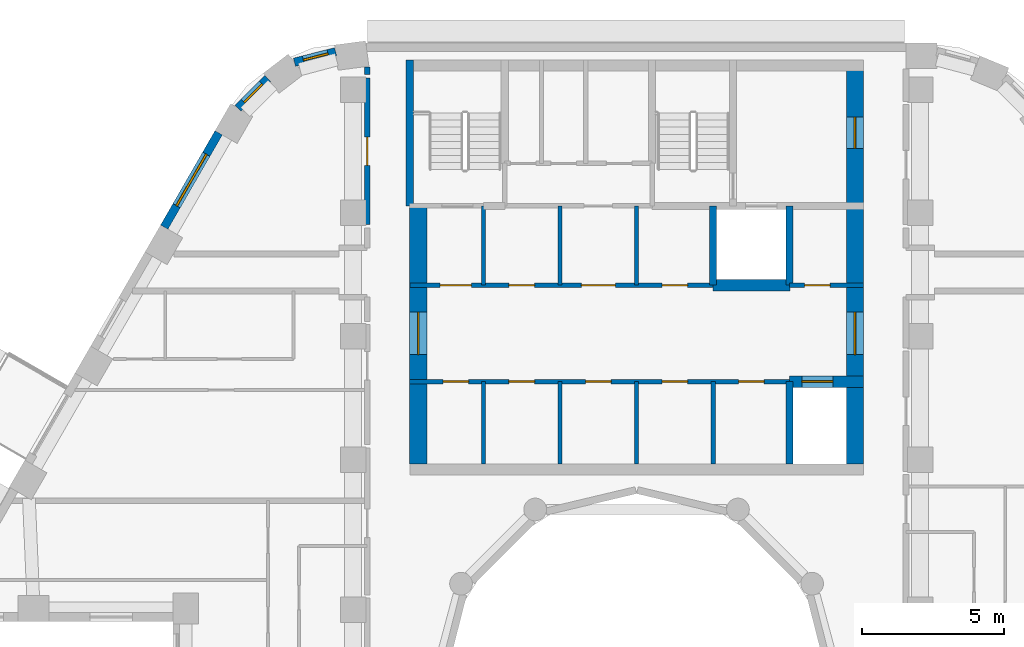
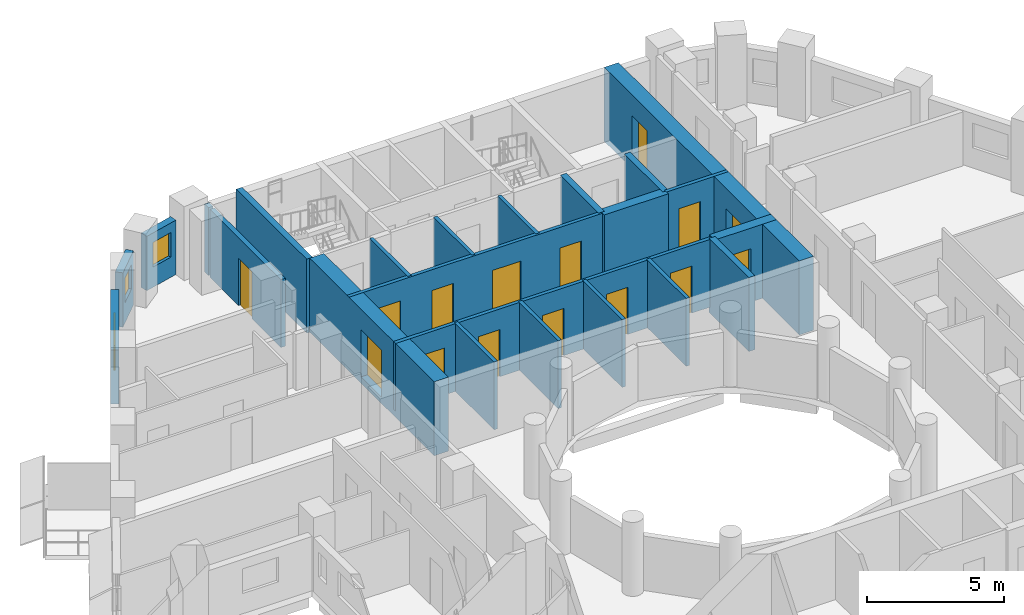
# One storey, part 7 of 13: 23 walls, 15 doors, 3 windows, 18 openings.
"""IFC4 building model written with IfcOpenShell, lengths in metres."""

from ifc_helpers import new_model, si_unit, direction, frame, frame_2d, origin, place, context, subcontext, project, spatial, rectangle, extrude, material, layer, layer_set, type_object, element, fill, save


model = new_model("IFC4")

# Units and contexts
model_context = context("Model", 3, precision=1e-05, world=origin(), true_north=direction((0.0, 1.0)))
body_context = subcontext(model_context, "Body", "Model", "MODEL_VIEW")
ifc_project = project(units=[si_unit("LENGTHUNIT", "METRE"), si_unit("AREAUNIT", "SQUARE_METRE"), si_unit("VOLUMEUNIT", "CUBIC_METRE"), si_unit("PLANEANGLEUNIT", "RADIAN"), si_unit("MASSUNIT", "GRAM", prefix="KILO")], contexts=[model_context])

# Site, building, storey
site_placement = place(None, origin())
site = spatial("IfcSite", under=ifc_project, at=site_placement, CompositionType="ELEMENT")
building_placement = place(site_placement, origin())
building = spatial("IfcBuilding", under=site, at=building_placement, Name="Nakaniwa Court", CompositionType="ELEMENT")
storey_placement = place(building_placement, frame((0.0, 0.0, 242.699951171875)))
storey = spatial("IfcBuildingStorey", under=building, at=storey_placement, Name="L63", CompositionType="ELEMENT", Elevation=242.699951171875)

# Wall, opening, door
ifc_material_1 = material(Name="Acoustic double stud partition")
ifc_layer_1 = layer(ifc_material_1, 0.199951171875)
ifc_layer_set_1 = layer_set([ifc_layer_1], Name="Acoustic double stud partition")
wall_type_1 = type_object("IfcWallType", Name="Acoustic double stud partition 200", PredefinedType="PARTITIONING", material=ifc_layer_set_1)
wall_1_placement = place(storey_placement, frame((70.5, 96.237060546875, 0.0), z_axis=(0.0, 0.0, 1.0), x_axis=(0.0, 1.0, 0.0)))
wall_1 = element("IfcWall", 1, at=wall_1_placement, inside=storey, type_object=wall_type_1, Name="Partition PW-099", PredefinedType="PARTITIONING", context=body_context, shape_type="SweptSolid", body=[
    extrude(rectangle(XDim=5.176025390625, YDim=0.199951171875, at=frame_2d((2.587890625, 0.0))), origin(), (0.0, 0.0, 1.0), 3.025146484375),
])
opening_1_placement = place(wall_1_placement, frame((2.087890625, 0.0, 0.0)))
opening_1 = element("IfcOpeningElement", 2, at=opening_1_placement, cuts=wall_1, Name="Opening D-02-06", PredefinedType="OPENING", context=body_context, shape_type="SweptSolid", body=[
    extrude(rectangle(XDim=1.0, YDim=2.10009765625, at=frame_2d((0.5, 1.050048828125))), frame((0.0, 0.10986328125, 0.0), z_axis=(0.0, -1.0, 0.0), x_axis=(1.0, 0.0, 0.0)), (0.0, 0.0, 1.0), 0.219970703125),
])
ifc_material_2 = material(Name="Solid core timber door set, black veneer", Category="wood")
door_type_1 = type_object("IfcDoorType", Name="Internal door 1000", OperationType="NOTDEFINED", PredefinedType="DOOR", material=ifc_material_2)
door_1_placement = place(opening_1_placement, origin())
door_1 = element("IfcDoor", 3, at=door_1_placement, inside=storey, type_object=door_type_1, Name="Door D-02-06 L63-062", OperationType="SINGLE_SWING_LEFT", OverallHeight=2.10009765625, OverallWidth=1.0, PredefinedType="DOOR", context=body_context, shape_type="SweptSolid", body=[
    extrude(rectangle(XDim=1.0, YDim=2.10009765625, at=frame_2d((0.5, 1.050048828125))), frame((0.0, 0.02490234375, 0.0), z_axis=(0.0, -1.0, 0.0), x_axis=(1.0, 0.0, 0.0)), (0.0, 0.0, 1.0), 0.050048828125),
])
fill(opening_1, door_1)

# Wall
wall_2_placement = place(storey_placement, frame((70.5, 101.527099609375, 0.0), z_axis=(0.0, 0.0, 1.0), x_axis=(0.0, 1.0, 0.0)))
element("IfcWall", 4, at=wall_2_placement, inside=storey, type_object=wall_type_1, Name="Partition PW-100", PredefinedType="PARTITIONING", context=body_context, shape_type="SweptSolid", body=[
    extrude(rectangle(XDim=0.273681640625, YDim=0.199951171875, at=frame_2d((0.13671875, 0.0))), origin(), (0.0, 0.0, 1.0), 3.025146484375),
])

# Wall, opening, window
ifc_material_3 = material(Name="Charcoal ceramic cladding")
ifc_layer_2 = layer(ifc_material_3, 0.02, Name="Ceramic cladding")
ifc_material_4 = material(Name="Ventilated air cavity")
ifc_layer_3 = layer(ifc_material_4, 0.04, ventilated=True, Name="Ventilated cavity")
ifc_material_5 = material(Name="Mineral wool insulation")
ifc_layer_4 = layer(ifc_material_5, 0.1, Name="Insulation")
ifc_material_6 = material(Name="Cement bonded sheathing board")
ifc_layer_5 = layer(ifc_material_6, 0.012, Name="Sheathing")
ifc_material_7 = material(Name="Cold-formed galvanised stud frame with mineral wool infill")
ifc_layer_6 = layer(ifc_material_7, 0.1, Name="Stud frame")
ifc_material_8 = material(Name="Fire-rated gypsum plasterboard lining")
ifc_layer_7 = layer(ifc_material_8, 0.028, Name="Lining")
ifc_layer_set_2 = layer_set([ifc_layer_2, ifc_layer_3, ifc_layer_4, ifc_layer_5, ifc_layer_6, ifc_layer_7], Name="Charcoal ceramic faced external wall system")
wall_type_2 = type_object("IfcWallType", Name="Black ceramic faced external wall 300", PredefinedType="SOLIDWALL", material=ifc_layer_set_2)
wall_3_placement = place(storey_placement, frame((69.386474609375, 102.333251953125, 0.0), z_axis=(0.0, 0.0, 1.0), x_axis=(-0.968895303033, -0.247470991757, 0.0)))
wall_3 = element("IfcWall", 5, at=wall_3_placement, inside=storey, type_object=wall_type_2, Name="L63 external wall 09", PredefinedType="SOLIDWALL", context=body_context, shape_type="SweptSolid", body=[
    extrude(rectangle(XDim=1.50048828125, YDim=0.300048828125, at=frame_2d((0.750244140625, 0.0))), origin(), (0.0, 0.0, 1.0), 2.425048828125),
])
opening_2_placement = place(wall_3_placement, frame((0.27587890625, 0.0, 0.89990234375)))
opening_2 = element("IfcOpeningElement", 6, at=opening_2_placement, cuts=wall_3, Name="Opening W9.09", PredefinedType="OPENING", context=body_context, shape_type="SweptSolid", body=[
    extrude(rectangle(XDim=0.89990234375, YDim=1.10009765625, at=frame_2d((0.449951171875, 0.550048828125))), frame((0.0, 0.159912109375, 0.0), z_axis=(0.0, -1.0, 0.0), x_axis=(1.0, 0.0, 0.0)), (0.0, 0.0, 1.0), 0.320068359375),
])
ifc_material_9 = material(Name="Black anodised aluminium frame with dark low-E laminated double glazing", Category="aluminium")
window_type_1 = type_object("IfcWindowType", Name="Dark glass window 900x1100 sill 900", PartitioningType="SINGLE_PANEL", PredefinedType="WINDOW", material=ifc_material_9)
window_1_placement = place(opening_2_placement, origin())
window_1 = element("IfcWindow", 7, at=window_1_placement, inside=storey, type_object=window_type_1, Name="L63 habitable room window 09-0", OverallHeight=1.10009765625, OverallWidth=0.89990234375, PartitioningType="SINGLE_PANEL", PredefinedType="WINDOW", context=body_context, shape_type="SweptSolid", body=[
    extrude(rectangle(XDim=0.89990234375, YDim=1.10009765625, at=frame_2d((0.449951171875, 0.550048828125))), frame((0.0, 0.030029296875, 0.0), z_axis=(0.0, -1.0, 0.0), x_axis=(1.0, 0.0, 0.0)), (0.0, 0.0, 1.0), 0.06005859375),
])
fill(opening_2, window_1)

wall_4_placement = place(storey_placement, frame((66.99560546875, 101.388427734375, 0.0), z_axis=(0.0, 0.0, 1.0), x_axis=(-0.708589353117, -0.705621094249, 0.0)))
wall_4 = element("IfcWall", 8, at=wall_4_placement, inside=storey, type_object=wall_type_2, Name="L63 external wall 10", PredefinedType="SOLIDWALL", context=body_context, shape_type="SweptSolid", body=[
    extrude(rectangle(XDim=1.48046875, YDim=0.300048828125, at=frame_2d((0.740234375, 0.0))), origin(), (0.0, 0.0, 1.0), 2.425048828125),
])
opening_3_placement = place(wall_4_placement, frame((0.27978515625, 0.0, 0.89990234375)))
opening_3 = element("IfcOpeningElement", 9, at=opening_3_placement, cuts=wall_4, Name="Opening W9.10", PredefinedType="OPENING", context=body_context, shape_type="SweptSolid", body=[
    extrude(rectangle(XDim=0.89990234375, YDim=1.10009765625, at=frame_2d((0.449951171875, 0.550048828125))), frame((0.0, 0.159912109375, 0.0), z_axis=(0.0, -1.0, 0.0), x_axis=(1.0, 0.0, 0.0)), (0.0, 0.0, 1.0), 0.320068359375),
])
window_2_placement = place(opening_3_placement, origin())
window_2 = element("IfcWindow", 10, at=window_2_placement, inside=storey, type_object=window_type_1, Name="L63 habitable room window 10-0", OverallHeight=1.10009765625, OverallWidth=0.89990234375, PartitioningType="SINGLE_PANEL", PredefinedType="WINDOW", context=body_context, shape_type="SweptSolid", body=[
    extrude(rectangle(XDim=0.89990234375, YDim=1.10009765625, at=frame_2d((0.449951171875, 0.550048828125))), frame((0.0, 0.030029296875, 0.0), z_axis=(0.0, -1.0, 0.0), x_axis=(1.0, 0.0, 0.0)), (0.0, 0.0, 1.0), 0.06005859375),
])
fill(opening_3, window_2)

wall_5_placement = place(storey_placement, frame((65.26416015625, 99.476806640625, 0.0), z_axis=(0.0, 0.0, 1.0), x_axis=(-0.499984490703, -0.866034357896, 0.0)))
wall_5 = element("IfcWall", 11, at=wall_5_placement, inside=storey, type_object=wall_type_2, Name="L63 external wall 11", PredefinedType="SOLIDWALL", context=body_context, shape_type="SweptSolid", body=[
    extrude(rectangle(XDim=3.84423828125, YDim=0.300048828125, at=frame_2d((1.922119140625, 0.0))), origin(), (0.0, 0.0, 1.0), 2.425048828125),
])
opening_4_placement = place(wall_5_placement, frame((0.8720703125, 0.0, 0.89990234375)))
opening_4 = element("IfcOpeningElement", 12, at=opening_4_placement, cuts=wall_5, Name="Opening W7.11", PredefinedType="OPENING", context=body_context, shape_type="SweptSolid", body=[
    extrude(rectangle(XDim=2.10009765625, YDim=1.10009765625, at=frame_2d((1.050048828125, 0.550048828125))), frame((0.0, 0.159912109375, 0.0), z_axis=(0.0, -1.0, 0.0), x_axis=(1.0, 0.0, 0.0)), (0.0, 0.0, 1.0), 0.320068359375),
])
window_type_2 = type_object("IfcWindowType", Name="Dark glass window 2100x1100 sill 900", PartitioningType="SINGLE_PANEL", PredefinedType="WINDOW", material=ifc_material_9)
window_3_placement = place(opening_4_placement, origin())
window_3 = element("IfcWindow", 13, at=window_3_placement, inside=storey, type_object=window_type_2, Name="L63 habitable room window 11-0", OverallHeight=1.10009765625, OverallWidth=2.10009765625, PartitioningType="SINGLE_PANEL", PredefinedType="WINDOW", context=body_context, shape_type="SweptSolid", body=[
    extrude(rectangle(XDim=2.10009765625, YDim=1.10009765625, at=frame_2d((1.050048828125, 0.550048828125))), frame((0.0, 0.030029296875, 0.0), z_axis=(0.0, -1.0, 0.0), x_axis=(1.0, 0.0, 0.0)), (0.0, 0.0, 1.0), 0.06005859375),
])
fill(opening_4, window_3)

# Walls
ifc_material_10 = material(Name="Blockwork partition", Category="masonry")
ifc_layer_8 = layer(ifc_material_10, 0.14990234375)
ifc_layer_set_3 = layer_set([ifc_layer_8], Name="Blockwork partition")
wall_type_3 = type_object("IfcWallType", Name="Blockwork partition 150", PredefinedType="PARTITIONING", material=ifc_layer_set_3)
wall_6_placement = place(storey_placement, frame((74.60009765625, 87.800048828125, 0.0), z_axis=(0.0, 0.0, 1.0), x_axis=(0.0, 1.0, 0.0)))
element("IfcWall", 14, at=wall_6_placement, inside=storey, type_object=wall_type_3, Name="Partition PW-001", PredefinedType="PARTITIONING", context=body_context, shape_type="SweptSolid", body=[
    extrude(rectangle(XDim=2.89990234375, YDim=0.14990234375, at=frame_2d((1.449951171875, 0.0))), origin(), (0.0, 0.0, 1.0), 3.025146484375),
])
wall_7_placement = place(storey_placement, frame((74.60009765625, 94.10009765625, 0.0), z_axis=(0.0, 0.0, 1.0), x_axis=(0.0, 1.0, 0.0)))
element("IfcWall", 15, at=wall_7_placement, inside=storey, type_object=wall_type_3, Name="Partition PW-002", PredefinedType="PARTITIONING", context=body_context, shape_type="SweptSolid", body=[
    extrude(rectangle(XDim=2.7998046875, YDim=0.14990234375, at=frame_2d((1.39990234375, 0.0))), origin(), (0.0, 0.0, 1.0), 3.025146484375),
])

# Wall, openings, doors
wall_8_placement = place(storey_placement, frame((85.39990234375, 90.699951171875, 0.0), z_axis=(0.0, 0.0, 1.0), x_axis=(-1.0, 0.0, 0.0)))
wall_8 = element("IfcWall", 16, at=wall_8_placement, inside=storey, type_object=wall_type_3, Name="Partition PW-003", PredefinedType="PARTITIONING", context=body_context, shape_type="SweptSolid", body=[
    extrude(rectangle(XDim=13.39990234375, YDim=0.14990234375, at=frame_2d((6.699951171875, 0.0))), origin(), (0.0, 0.0, 1.0), 3.025146484375),
])
opening_5_placement = place(wall_8_placement, frame((11.324951171875, 0.0, 0.0)))
opening_5 = element("IfcOpeningElement", 17, at=opening_5_placement, cuts=wall_8, Name="Opening D-05-01", PredefinedType="OPENING", context=body_context, shape_type="SweptSolid", body=[
    extrude(rectangle(XDim=0.89990234375, YDim=2.10009765625, at=frame_2d((0.449951171875, 1.050048828125))), frame((0.0, 0.0849609375, 0.0), z_axis=(0.0, -1.0, 0.0), x_axis=(1.0, 0.0, 0.0)), (0.0, 0.0, 1.0), 0.169921875),
])
opening_6_placement = place(wall_8_placement, frame((9.0, 0.0, 0.0)))
opening_6 = element("IfcOpeningElement", 18, at=opening_6_placement, cuts=wall_8, Name="Opening D-05-02", PredefinedType="OPENING", context=body_context, shape_type="SweptSolid", body=[
    extrude(rectangle(XDim=0.89990234375, YDim=2.10009765625, at=frame_2d((0.449951171875, 1.050048828125))), frame((0.0, 0.0849609375, 0.0), z_axis=(0.0, -1.0, 0.0), x_axis=(1.0, 0.0, 0.0)), (0.0, 0.0, 1.0), 0.169921875),
])
opening_7_placement = place(wall_8_placement, frame((6.300048828125, 0.0, 0.0)))
opening_7 = element("IfcOpeningElement", 19, at=opening_7_placement, cuts=wall_8, Name="Opening D-05-03", PredefinedType="OPENING", context=body_context, shape_type="SweptSolid", body=[
    extrude(rectangle(XDim=0.89990234375, YDim=2.10009765625, at=frame_2d((0.449951171875, 1.050048828125))), frame((0.0, 0.0849609375, 0.0), z_axis=(0.0, -1.0, 0.0), x_axis=(1.0, 0.0, 0.0)), (0.0, 0.0, 1.0), 0.169921875),
])
opening_8_placement = place(wall_8_placement, frame((3.60009765625, 0.0, 0.0)))
opening_8 = element("IfcOpeningElement", 20, at=opening_8_placement, cuts=wall_8, Name="Opening D-05-04", PredefinedType="OPENING", context=body_context, shape_type="SweptSolid", body=[
    extrude(rectangle(XDim=0.89990234375, YDim=2.10009765625, at=frame_2d((0.449951171875, 1.050048828125))), frame((0.0, 0.0849609375, 0.0), z_axis=(0.0, -1.0, 0.0), x_axis=(1.0, 0.0, 0.0)), (0.0, 0.0, 1.0), 0.169921875),
])
opening_9_placement = place(wall_8_placement, frame((0.89990234375, 0.0, 0.0)))
opening_9 = element("IfcOpeningElement", 21, at=opening_9_placement, cuts=wall_8, Name="Opening D-05-05", PredefinedType="OPENING", context=body_context, shape_type="SweptSolid", body=[
    extrude(rectangle(XDim=0.89990234375, YDim=2.10009765625, at=frame_2d((0.449951171875, 1.050048828125))), frame((0.0, 0.0849609375, 0.0), z_axis=(0.0, -1.0, 0.0), x_axis=(1.0, 0.0, 0.0)), (0.0, 0.0, 1.0), 0.169921875),
])
ifc_material_11 = material(Name="Fire rated steel door set", Category="steel")
door_type_2 = type_object("IfcDoorType", Name="Service room door 900", OperationType="NOTDEFINED", PredefinedType="DOOR", material=ifc_material_11)
door_2_placement = place(opening_5_placement, origin())
door_2 = element("IfcDoor", 22, at=door_2_placement, inside=storey, type_object=door_type_2, Name="Door D-05-01 L63-001", OperationType="SINGLE_SWING_RIGHT", OverallHeight=2.10009765625, OverallWidth=0.89990234375, PredefinedType="DOOR", context=body_context, shape_type="SweptSolid", body=[
    extrude(rectangle(XDim=0.89990234375, YDim=2.10009765625, at=frame_2d((0.449951171875, 1.050048828125))), frame((0.0, 0.02490234375, 0.0), z_axis=(0.0, -1.0, 0.0), x_axis=(1.0, 0.0, 0.0)), (0.0, 0.0, 1.0), 0.050048828125),
])
fill(opening_5, door_2)
door_3_placement = place(opening_6_placement, origin())
door_3 = element("IfcDoor", 23, at=door_3_placement, inside=storey, type_object=door_type_2, Name="Door D-05-02 L63-002", OperationType="SINGLE_SWING_LEFT", OverallHeight=2.10009765625, OverallWidth=0.89990234375, PredefinedType="DOOR", context=body_context, shape_type="SweptSolid", body=[
    extrude(rectangle(XDim=0.89990234375, YDim=2.10009765625, at=frame_2d((0.449951171875, 1.050048828125))), frame((0.0, 0.02490234375, 0.0), z_axis=(0.0, -1.0, 0.0), x_axis=(1.0, 0.0, 0.0)), (0.0, 0.0, 1.0), 0.050048828125),
])
fill(opening_6, door_3)
door_4_placement = place(opening_7_placement, origin())
door_4 = element("IfcDoor", 24, at=door_4_placement, inside=storey, type_object=door_type_2, Name="Door D-05-03 L63-003", OperationType="SINGLE_SWING_RIGHT", OverallHeight=2.10009765625, OverallWidth=0.89990234375, PredefinedType="DOOR", context=body_context, shape_type="SweptSolid", body=[
    extrude(rectangle(XDim=0.89990234375, YDim=2.10009765625, at=frame_2d((0.449951171875, 1.050048828125))), frame((0.0, 0.02490234375, 0.0), z_axis=(0.0, -1.0, 0.0), x_axis=(1.0, 0.0, 0.0)), (0.0, 0.0, 1.0), 0.050048828125),
])
fill(opening_7, door_4)
door_5_placement = place(opening_8_placement, origin())
door_5 = element("IfcDoor", 25, at=door_5_placement, inside=storey, type_object=door_type_2, Name="Door D-05-04 L63-004", OperationType="SINGLE_SWING_LEFT", OverallHeight=2.10009765625, OverallWidth=0.89990234375, PredefinedType="DOOR", context=body_context, shape_type="SweptSolid", body=[
    extrude(rectangle(XDim=0.89990234375, YDim=2.10009765625, at=frame_2d((0.449951171875, 1.050048828125))), frame((0.0, 0.02490234375, 0.0), z_axis=(0.0, -1.0, 0.0), x_axis=(1.0, 0.0, 0.0)), (0.0, 0.0, 1.0), 0.050048828125),
])
fill(opening_8, door_5)
door_6_placement = place(opening_9_placement, origin())
door_6 = element("IfcDoor", 26, at=door_6_placement, inside=storey, type_object=door_type_2, Name="Door D-05-05 L63-005", OperationType="SINGLE_SWING_RIGHT", OverallHeight=2.10009765625, OverallWidth=0.89990234375, PredefinedType="DOOR", context=body_context, shape_type="SweptSolid", body=[
    extrude(rectangle(XDim=0.89990234375, YDim=2.10009765625, at=frame_2d((0.449951171875, 1.050048828125))), frame((0.0, 0.02490234375, 0.0), z_axis=(0.0, -1.0, 0.0), x_axis=(1.0, 0.0, 0.0)), (0.0, 0.0, 1.0), 0.050048828125),
])
fill(opening_9, door_6)

# Walls
wall_9_placement = place(storey_placement, frame((77.300048828125, 87.800048828125, 0.0), z_axis=(0.0, 0.0, 1.0), x_axis=(0.0, 1.0, 0.0)))
element("IfcWall", 27, at=wall_9_placement, inside=storey, type_object=wall_type_3, Name="Partition PW-009", PredefinedType="PARTITIONING", context=body_context, shape_type="SweptSolid", body=[
    extrude(rectangle(XDim=2.89990234375, YDim=0.14990234375, at=frame_2d((1.449951171875, 0.0))), origin(), (0.0, 0.0, 1.0), 3.025146484375),
])
wall_10_placement = place(storey_placement, frame((77.300048828125, 94.10009765625, 0.0), z_axis=(0.0, 0.0, 1.0), x_axis=(0.0, 1.0, 0.0)))
element("IfcWall", 28, at=wall_10_placement, inside=storey, type_object=wall_type_3, Name="Partition PW-010", PredefinedType="PARTITIONING", context=body_context, shape_type="SweptSolid", body=[
    extrude(rectangle(XDim=2.7998046875, YDim=0.14990234375, at=frame_2d((1.39990234375, 0.0))), origin(), (0.0, 0.0, 1.0), 3.025146484375),
])
wall_11_placement = place(storey_placement, frame((80.0, 87.800048828125, 0.0), z_axis=(0.0, 0.0, 1.0), x_axis=(0.0, 1.0, 0.0)))
element("IfcWall", 29, at=wall_11_placement, inside=storey, type_object=wall_type_3, Name="Partition PW-011", PredefinedType="PARTITIONING", context=body_context, shape_type="SweptSolid", body=[
    extrude(rectangle(XDim=2.89990234375, YDim=0.14990234375, at=frame_2d((1.449951171875, 0.0))), origin(), (0.0, 0.0, 1.0), 3.025146484375),
])
wall_12_placement = place(storey_placement, frame((80.0, 94.10009765625, 0.0), z_axis=(0.0, 0.0, 1.0), x_axis=(0.0, 1.0, 0.0)))
element("IfcWall", 30, at=wall_12_placement, inside=storey, type_object=wall_type_3, Name="Partition PW-012", PredefinedType="PARTITIONING", context=body_context, shape_type="SweptSolid", body=[
    extrude(rectangle(XDim=2.7998046875, YDim=0.14990234375, at=frame_2d((1.39990234375, 0.0))), origin(), (0.0, 0.0, 1.0), 3.025146484375),
])
wall_13_placement = place(storey_placement, frame((82.699951171875, 87.800048828125, 0.0), z_axis=(0.0, 0.0, 1.0), x_axis=(0.0, 1.0, 0.0)))
element("IfcWall", 31, at=wall_13_placement, inside=storey, type_object=wall_type_3, Name="Partition PW-013", PredefinedType="PARTITIONING", context=body_context, shape_type="SweptSolid", body=[
    extrude(rectangle(XDim=2.89990234375, YDim=0.14990234375, at=frame_2d((1.449951171875, 0.0))), origin(), (0.0, 0.0, 1.0), 3.025146484375),
])

# Wall, openings, doors
wall_14_placement = place(storey_placement, frame((72.0, 94.10009765625, 0.0), z_axis=(0.0, 0.0, 1.0), x_axis=(1.0, 0.0, 0.0)))
wall_14 = element("IfcWall", 32, at=wall_14_placement, inside=storey, type_object=wall_type_3, Name="Partition PW-014", PredefinedType="PARTITIONING", context=body_context, shape_type="SweptSolid", body=[
    extrude(rectangle(XDim=10.702880859375, YDim=0.14990234375, at=frame_2d((5.3515625, 0.0))), origin(), (0.0, 0.0, 1.0), 3.025146484375),
])
opening_10_placement = place(wall_14_placement, frame((1.074951171875, 0.0, 0.0)))
opening_10 = element("IfcOpeningElement", 33, at=opening_10_placement, cuts=wall_14, Name="Opening D-08-01", PredefinedType="OPENING", context=body_context, shape_type="SweptSolid", body=[
    extrude(rectangle(XDim=1.10009765625, YDim=2.10009765625, at=frame_2d((0.550048828125, 1.050048828125))), frame((0.0, 0.0849609375, 0.0), z_axis=(0.0, -1.0, 0.0), x_axis=(1.0, 0.0, 0.0)), (0.0, 0.0, 1.0), 0.169921875),
])
opening_11_placement = place(wall_14_placement, frame((3.5, 0.0, 0.0)))
opening_11 = element("IfcOpeningElement", 34, at=opening_11_placement, cuts=wall_14, Name="Opening D-05-06", PredefinedType="OPENING", context=body_context, shape_type="SweptSolid", body=[
    extrude(rectangle(XDim=0.89990234375, YDim=2.10009765625, at=frame_2d((0.449951171875, 1.050048828125))), frame((0.0, 0.0849609375, 0.0), z_axis=(0.0, -1.0, 0.0), x_axis=(1.0, 0.0, 0.0)), (0.0, 0.0, 1.0), 0.169921875),
])
opening_12_placement = place(wall_14_placement, frame((6.050048828125, 0.0, 0.0)))
opening_12 = element("IfcOpeningElement", 35, at=opening_12_placement, cuts=wall_14, Name="Opening D-06-01", PredefinedType="OPENING", context=body_context, shape_type="SweptSolid", body=[
    extrude(rectangle(XDim=1.199951171875, YDim=2.10009765625, at=frame_2d((0.60009765625, 1.050048828125))), frame((0.0, 0.0849609375, 0.0), z_axis=(0.0, -1.0, 0.0), x_axis=(1.0, 0.0, 0.0)), (0.0, 0.0, 1.0), 0.169921875),
])
opening_13_placement = place(wall_14_placement, frame((8.89990234375, 0.0, 0.0)))
opening_13 = element("IfcOpeningElement", 36, at=opening_13_placement, cuts=wall_14, Name="Opening D-05-07", PredefinedType="OPENING", context=body_context, shape_type="SweptSolid", body=[
    extrude(rectangle(XDim=0.89990234375, YDim=2.10009765625, at=frame_2d((0.449951171875, 1.050048828125))), frame((0.0, 0.0849609375, 0.0), z_axis=(0.0, -1.0, 0.0), x_axis=(1.0, 0.0, 0.0)), (0.0, 0.0, 1.0), 0.169921875),
])
ifc_material_12 = material(Name="Fire rated steel double door set", Category="steel")
door_type_3 = type_object("IfcDoorType", Name="Service passage double door 1200", OperationType="NOTDEFINED", PredefinedType="DOOR", material=ifc_material_12)
door_7_placement = place(opening_12_placement, origin())
door_7 = element("IfcDoor", 37, at=door_7_placement, inside=storey, type_object=door_type_3, Name="Door D-06-01 L63-008", OperationType="DOUBLE_DOOR_SINGLE_SWING", OverallHeight=2.10009765625, OverallWidth=1.199951171875, PredefinedType="DOOR", context=body_context, shape_type="SweptSolid", body=[
    extrude(rectangle(XDim=1.199951171875, YDim=2.10009765625, at=frame_2d((0.60009765625, 1.050048828125))), frame((0.0, 0.02490234375, 0.0), z_axis=(0.0, -1.0, 0.0), x_axis=(1.0, 0.0, 0.0)), (0.0, 0.0, 1.0), 0.050048828125),
])
fill(opening_12, door_7)
door_8_placement = place(opening_11_placement, origin())
door_8 = element("IfcDoor", 38, at=door_8_placement, inside=storey, type_object=door_type_2, Name="Door D-05-06 L63-007", OperationType="SINGLE_SWING_RIGHT", OverallHeight=2.10009765625, OverallWidth=0.89990234375, PredefinedType="DOOR", context=body_context, shape_type="SweptSolid", body=[
    extrude(rectangle(XDim=0.89990234375, YDim=2.10009765625, at=frame_2d((0.449951171875, 1.050048828125))), frame((0.0, 0.02490234375, 0.0), z_axis=(0.0, -1.0, 0.0), x_axis=(1.0, 0.0, 0.0)), (0.0, 0.0, 1.0), 0.050048828125),
])
fill(opening_11, door_8)
door_9_placement = place(opening_13_placement, origin())
door_9 = element("IfcDoor", 39, at=door_9_placement, inside=storey, type_object=door_type_2, Name="Door D-05-07 L63-009", OperationType="SINGLE_SWING_RIGHT", OverallHeight=2.10009765625, OverallWidth=0.89990234375, PredefinedType="DOOR", context=body_context, shape_type="SweptSolid", body=[
    extrude(rectangle(XDim=0.89990234375, YDim=2.10009765625, at=frame_2d((0.449951171875, 1.050048828125))), frame((0.0, 0.02490234375, 0.0), z_axis=(0.0, -1.0, 0.0), x_axis=(1.0, 0.0, 0.0)), (0.0, 0.0, 1.0), 0.050048828125),
])
fill(opening_13, door_9)
door_type_4 = type_object("IfcDoorType", Name="Stair lobby door 1100", OperationType="NOTDEFINED", PredefinedType="DOOR", material=ifc_material_11)
door_10_placement = place(opening_10_placement, origin())
door_10 = element("IfcDoor", 40, at=door_10_placement, inside=storey, type_object=door_type_4, Name="Door D-08-01 L63-006", OperationType="SINGLE_SWING_LEFT", OverallHeight=2.10009765625, OverallWidth=1.10009765625, PredefinedType="DOOR", context=body_context, shape_type="SweptSolid", body=[
    extrude(rectangle(XDim=1.10009765625, YDim=2.10009765625, at=frame_2d((0.550048828125, 1.050048828125))), frame((0.0, 0.02490234375, 0.0), z_axis=(0.0, -1.0, 0.0), x_axis=(1.0, 0.0, 0.0)), (0.0, 0.0, 1.0), 0.050048828125),
])
fill(opening_10, door_10)

# Wall, opening, door
wall_15_placement = place(storey_placement, frame((85.39697265625, 94.10009765625, 0.0), z_axis=(0.0, 0.0, 1.0), x_axis=(1.0, 0.0, 0.0)))
wall_15 = element("IfcWall", 41, at=wall_15_placement, inside=storey, type_object=wall_type_3, Name="Partition PW-015", PredefinedType="PARTITIONING", context=body_context, shape_type="SweptSolid", body=[
    extrude(rectangle(XDim=2.60302734375, YDim=0.14990234375, at=frame_2d((1.301513671875, 0.0))), origin(), (0.0, 0.0, 1.0), 3.025146484375),
])
opening_14_placement = place(wall_15_placement, frame((0.528076171875, 0.0, 0.0)))
opening_14 = element("IfcOpeningElement", 42, at=opening_14_placement, cuts=wall_15, Name="Opening D-05-08", PredefinedType="OPENING", context=body_context, shape_type="SweptSolid", body=[
    extrude(rectangle(XDim=0.89990234375, YDim=2.10009765625, at=frame_2d((0.449951171875, 1.050048828125))), frame((0.0, 0.0849609375, 0.0), z_axis=(0.0, -1.0, 0.0), x_axis=(1.0, 0.0, 0.0)), (0.0, 0.0, 1.0), 0.169921875),
])
door_11_placement = place(opening_14_placement, origin())
door_11 = element("IfcDoor", 43, at=door_11_placement, inside=storey, type_object=door_type_2, Name="Door D-05-08 L63-010", OperationType="SINGLE_SWING_LEFT", OverallHeight=2.10009765625, OverallWidth=0.89990234375, PredefinedType="DOOR", context=body_context, shape_type="SweptSolid", body=[
    extrude(rectangle(XDim=0.89990234375, YDim=2.10009765625, at=frame_2d((0.449951171875, 1.050048828125))), frame((0.0, 0.02490234375, 0.0), z_axis=(0.0, -1.0, 0.0), x_axis=(1.0, 0.0, 0.0)), (0.0, 0.0, 1.0), 0.050048828125),
])
fill(opening_14, door_11)

ifc_material_13 = material(Name="Concrete C80/100", Category="concrete")
ifc_layer_9 = layer(ifc_material_13, 0.60009765625)
ifc_layer_set_4 = layer_set([ifc_layer_9], Name="Concrete C80/100")
wall_type_4 = type_object("IfcWallType", Name="Concrete core side wall 600 C80", PredefinedType="SHEAR", material=ifc_layer_set_4)
wall_16_placement = place(storey_placement, frame((72.300048828125, 87.800048828125, -0.27490234375), z_axis=(0.0, 0.0, 1.0), x_axis=(0.0, 1.0, 0.0)))
wall_16 = element("IfcWall", 44, at=wall_16_placement, inside=storey, type_object=wall_type_4, Name="Core wall SW-04", PredefinedType="SHEAR", context=body_context, shape_type="SweptSolid", body=[
    extrude(rectangle(XDim=9.099853515625, YDim=0.60009765625, at=frame_2d((4.5498046875, 0.0))), origin(), (0.0, 0.0, 1.0), 3.300048828125),
])
opening_15_placement = place(wall_16_placement, frame((3.85009765625, 0.0, 0.27490234375)))
opening_15 = element("IfcOpeningElement", 45, at=opening_15_placement, cuts=wall_16, Name="Opening D-07-02", PredefinedType="OPENING", context=body_context, shape_type="SweptSolid", body=[
    extrude(rectangle(XDim=1.5, YDim=2.10009765625, at=frame_2d((0.75, 1.050048828125))), frame((0.0, 0.31005859375, 0.0), z_axis=(0.0, -1.0, 0.0), x_axis=(1.0, 0.0, 0.0)), (0.0, 0.0, 1.0), 0.6201171875),
])
ifc_material_14 = material(Name="Glazed fire rated steel double door set", Category="steel")
door_type_5 = type_object("IfcDoorType", Name="Lobby double door 1500", OperationType="NOTDEFINED", PredefinedType="DOOR", material=ifc_material_14)
door_12_placement = place(opening_15_placement, origin())
door_12 = element("IfcDoor", 46, at=door_12_placement, inside=storey, type_object=door_type_5, Name="Door D-07-02 L63-064", OperationType="DOUBLE_DOOR_SINGLE_SWING", OverallHeight=2.10009765625, OverallWidth=1.5, PredefinedType="DOOR", context=body_context, shape_type="SweptSolid", body=[
    extrude(rectangle(XDim=1.5, YDim=2.10009765625, at=frame_2d((0.75, 1.050048828125))), frame((0.0, 0.02490234375, 0.0), z_axis=(0.0, -1.0, 0.0), x_axis=(1.0, 0.0, 0.0)), (0.0, 0.0, 1.0), 0.050048828125),
])
fill(opening_15, door_12)

# Wall, openings, doors
wall_17_placement = place(storey_placement, frame((87.699951171875, 102.050048828125, -0.27490234375), z_axis=(0.0, 0.0, 1.0), x_axis=(0.0, -1.0, 0.0)))
wall_17 = element("IfcWall", 47, at=wall_17_placement, inside=storey, type_object=wall_type_4, Name="Core wall SW-08", PredefinedType="SHEAR", context=body_context, shape_type="SweptSolid", body=[
    extrude(rectangle(XDim=14.25, YDim=0.60009765625, at=frame_2d((7.125, 0.0))), origin(), (0.0, 0.0, 1.0), 3.300048828125),
])
opening_16_placement = place(wall_17_placement, frame((8.89990234375, 0.0, 0.27490234375)))
opening_16 = element("IfcOpeningElement", 48, at=opening_16_placement, cuts=wall_17, Name="Opening D-07-01", PredefinedType="OPENING", context=body_context, shape_type="SweptSolid", body=[
    extrude(rectangle(XDim=1.5, YDim=2.10009765625, at=frame_2d((0.75, 1.050048828125))), frame((0.0, 0.31005859375, 0.0), z_axis=(0.0, -1.0, 0.0), x_axis=(1.0, 0.0, 0.0)), (0.0, 0.0, 1.0), 0.6201171875),
])
opening_17_placement = place(wall_17_placement, frame((2.02490234375, 0.0, 0.27490234375)))
opening_17 = element("IfcOpeningElement", 49, at=opening_17_placement, cuts=wall_17, Name="Opening D-10-01", PredefinedType="OPENING", context=body_context, shape_type="SweptSolid", body=[
    extrude(rectangle(XDim=1.10009765625, YDim=2.10009765625, at=frame_2d((0.550048828125, 1.050048828125))), frame((0.0, 0.31005859375, 0.0), z_axis=(0.0, -1.0, 0.0), x_axis=(1.0, 0.0, 0.0)), (0.0, 0.0, 1.0), 0.6201171875),
])
door_type_6 = type_object("IfcDoorType", Name="Firefighting lobby door 1100", OperationType="NOTDEFINED", PredefinedType="DOOR", material=ifc_material_11)
door_13_placement = place(opening_17_placement, origin())
door_13 = element("IfcDoor", 50, at=door_13_placement, inside=storey, type_object=door_type_6, Name="Door D-10-01 L63-065", OperationType="SINGLE_SWING_RIGHT", OverallHeight=2.10009765625, OverallWidth=1.10009765625, PredefinedType="DOOR", context=body_context, shape_type="SweptSolid", body=[
    extrude(rectangle(XDim=1.10009765625, YDim=2.10009765625, at=frame_2d((0.550048828125, 1.050048828125))), frame((0.0, 0.02490234375, 0.0), z_axis=(0.0, -1.0, 0.0), x_axis=(1.0, 0.0, 0.0)), (0.0, 0.0, 1.0), 0.050048828125),
])
fill(opening_17, door_13)
door_14_placement = place(opening_16_placement, origin())
door_14 = element("IfcDoor", 51, at=door_14_placement, inside=storey, type_object=door_type_5, Name="Door D-07-01 L63-063", OperationType="DOUBLE_DOOR_SINGLE_SWING", OverallHeight=2.10009765625, OverallWidth=1.5, PredefinedType="DOOR", context=body_context, shape_type="SweptSolid", body=[
    extrude(rectangle(XDim=1.5, YDim=2.10009765625, at=frame_2d((0.75, 1.050048828125))), frame((0.0, 0.02490234375, 0.0), z_axis=(0.0, -1.0, 0.0), x_axis=(1.0, 0.0, 0.0)), (0.0, 0.0, 1.0), 0.050048828125),
])
fill(opening_16, door_14)

# Wall, opening, door
ifc_layer_10 = layer(ifc_material_13, 0.39990234375)
ifc_layer_set_5 = layer_set([ifc_layer_10], Name="Concrete C80/100")
wall_type_5 = type_object("IfcWallType", Name="Concrete core spine wall 400 C80", PredefinedType="SHEAR", material=ifc_layer_set_5)
wall_18_placement = place(storey_placement, frame((85.39990234375, 90.699951171875, -0.27490234375), z_axis=(0.0, 0.0, 1.0), x_axis=(1.0, 0.0, 0.0)))
wall_18 = element("IfcWall", 52, at=wall_18_placement, inside=storey, type_object=wall_type_5, Name="Core wall SW-07", PredefinedType="SHEAR", context=body_context, shape_type="SweptSolid", body=[
    extrude(rectangle(XDim=2.60009765625, YDim=0.39990234375, at=frame_2d((1.300048828125, 0.0))), origin(), (0.0, 0.0, 1.0), 3.300048828125),
])
opening_18_placement = place(wall_18_placement, frame((0.425048828125, 0.0, 0.27490234375)))
opening_18 = element("IfcOpeningElement", 53, at=opening_18_placement, cuts=wall_18, Name="Opening LD01", PredefinedType="OPENING", context=body_context, shape_type="SweptSolid", body=[
    extrude(rectangle(XDim=1.10009765625, YDim=2.10009765625, at=frame_2d((0.550048828125, 1.050048828125))), frame((0.0, 0.2099609375, 0.0), z_axis=(0.0, -1.0, 0.0), x_axis=(1.0, 0.0, 0.0)), (0.0, 0.0, 1.0), 0.419921875),
])
ifc_material_15 = material(Name="Stainless steel sliding lift landing door", Category="steel")
door_type_7 = type_object("IfcDoorType", Name="Lift landing door 1100", OperationType="NOTDEFINED", PredefinedType="DOOR", material=ifc_material_15)
door_15_placement = place(opening_18_placement, origin())
door_15 = element("IfcDoor", 54, at=door_15_placement, inside=storey, type_object=door_type_7, Name="Lift landing door LD01 L63-001", OperationType="SLIDING_TO_LEFT", OverallHeight=2.10009765625, OverallWidth=1.10009765625, PredefinedType="DOOR", context=body_context, shape_type="SweptSolid", body=[
    extrude(rectangle(XDim=1.10009765625, YDim=2.10009765625, at=frame_2d((0.550048828125, 1.050048828125))), frame((0.0, 0.02490234375, 0.0), z_axis=(0.0, -1.0, 0.0), x_axis=(1.0, 0.0, 0.0)), (0.0, 0.0, 1.0), 0.050048828125),
])
fill(opening_18, door_15)

# Walls
wall_19_placement = place(storey_placement, frame((82.697021484375, 94.10009765625, -0.27490234375), z_axis=(0.0, 0.0, 1.0), x_axis=(1.0, 0.0, 0.0)))
element("IfcWall", 55, at=wall_19_placement, inside=storey, type_object=wall_type_5, Name="Core wall SW-16", PredefinedType="SHEAR", context=body_context, shape_type="SweptSolid", body=[
    extrude(rectangle(XDim=2.7060546875, YDim=0.39990234375, at=frame_2d((1.35302734375, 0.0))), origin(), (0.0, 0.0, 1.0), 3.300048828125),
])
ifc_layer_11 = layer(ifc_material_13, 0.25)
ifc_layer_set_6 = layer_set([ifc_layer_11], Name="Concrete C80/100")
wall_type_6 = type_object("IfcWallType", Name="Concrete core wall 250 C80", PredefinedType="SHEAR", material=ifc_layer_set_6)
wall_20_placement = place(storey_placement, frame((72.0, 96.89990234375, -0.27490234375), z_axis=(0.0, 0.0, 1.0), x_axis=(0.0, 1.0, 0.0)))
element("IfcWall", 56, at=wall_20_placement, inside=storey, type_object=wall_type_6, Name="Core wall SW-24", PredefinedType="SHEAR", context=body_context, shape_type="SweptSolid", body=[
    extrude(rectangle(XDim=5.150146484375, YDim=0.25, at=frame_2d((2.5751953125, 0.0))), origin(), (0.0, 0.0, 1.0), 3.300048828125),
])
ifc_layer_12 = layer(ifc_material_13, 0.25)
ifc_layer_set_7 = layer_set([ifc_layer_12], Name="Concrete C80/100")
wall_type_7 = type_object("IfcWallType", Name="Concrete shaft wall 250 C80", PredefinedType="SHEAR", material=ifc_layer_set_7)
wall_21_placement = place(storey_placement, frame((85.39990234375, 87.800048828125, -0.27490234375), z_axis=(0.0, 0.0, 1.0), x_axis=(0.0, 1.0, 0.0)))
element("IfcWall", 57, at=wall_21_placement, inside=storey, type_object=wall_type_7, Name="Core wall SW-05", PredefinedType="SHEAR", context=body_context, shape_type="SweptSolid", body=[
    extrude(rectangle(XDim=2.89990234375, YDim=0.25, at=frame_2d((1.449951171875, 0.0))), origin(), (0.0, 0.0, 1.0), 3.300048828125),
])
for number, where, z_axis, x_axis, name in (
    (58, (85.39990234375, 94.10009765625, -0.27490234375), (0.0, 0.0, 1.0), (0.0, 1.0, 0.0), "Core wall SW-06"),
    (59, (82.699951171875, 94.10009765625, -0.27490234375), (0.0, 0.0, 1.0), (0.0, 1.0, 0.0), "Core wall SW-21"),
):
    element("IfcWall", number, at=place(storey_placement, frame(where, z_axis=z_axis, x_axis=x_axis)), inside=storey, type_object=wall_type_7, Name=name, PredefinedType="SHEAR", context=body_context, shape_type="SweptSolid", body=[
        extrude(rectangle(XDim=2.7998046875, YDim=0.25, at=frame_2d((1.39990234375, 0.0))), origin(), (0.0, 0.0, 1.0), 3.300048828125),
    ])

save(model, "model.ifc")
